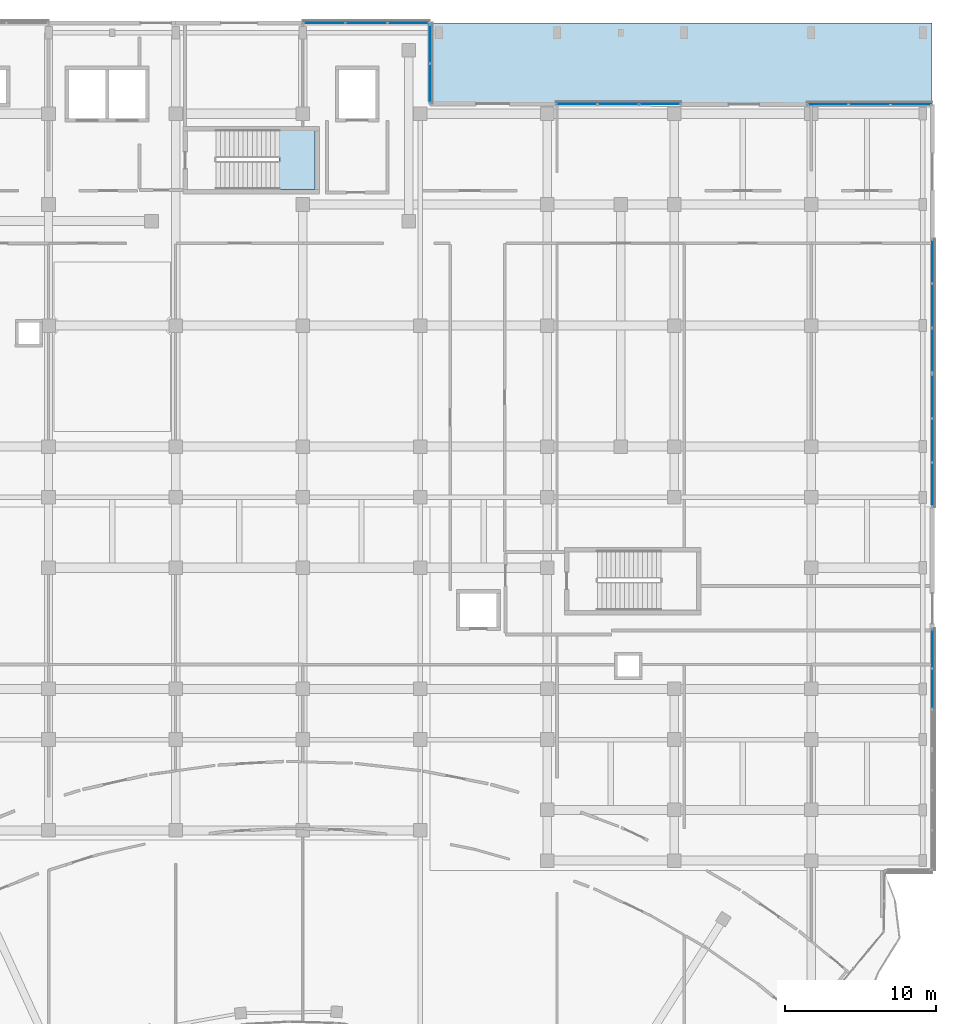
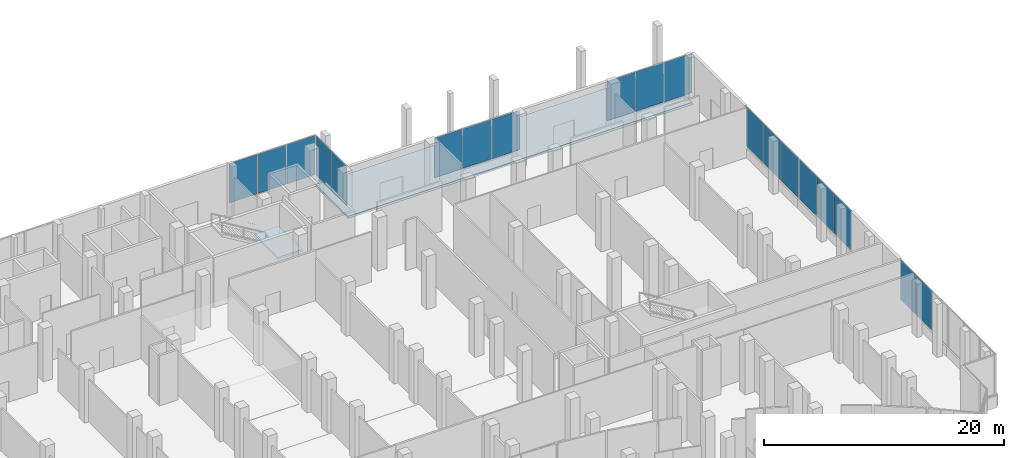
# One storey, part 131 of 158: 19 plates, 2 slabs, 8 elements without a shape of their own.
"""IFC4 building model written with IfcOpenShell, lengths in metres."""

import ifcopenshell
import ifcopenshell.guid

model = None  # the IFC model being written
_history = None  # IfcOwnerHistory: only IFC2X3 demands one
_inside = {}  # id of a spatial element -> (the spatial element, [elements in it])
_under = {}  # id of a project, library or spatial element -> (it, [spatial elements below it])
_declared = {}  # id of a project -> (the project, [libraries it declares])
_typed = {}  # id of a type object -> (the type object, [elements of that type])
_made_of = {}  # id of a material, layer set ... -> (it, [elements and type objects made of it])


def new_model(schema):
    """Start an empty IFC model of exactly this schema.

    Asked for "IFC4X3", IfcOpenShell would pick the latest addendum, in which some entities
    have other attributes; the version numbers below select the first issue.
    IFC2X3 requires an IfcOwnerHistory on every rooted entity: one is made here for all.
    """
    global model, _history
    if schema == "IFC4X3":
        model = ifcopenshell.file(schema_version=(4, 3, 0, 0))
    else:
        model = ifcopenshell.file(schema=schema)
    _inside.clear()
    _under.clear()
    _declared.clear()
    _typed.clear()
    _made_of.clear()
    _history = None
    if model.schema == "IFC2X3":
        org = make("IfcOrganization", Name="unknown")
        user = make(
            "IfcPersonAndOrganization",
            ThePerson=make("IfcPerson", FamilyName="unknown"),
            TheOrganization=org,
        )
        app = make(
            "IfcApplication",
            ApplicationDeveloper=org,
            Version="unknown",
            ApplicationFullName="unknown",
            ApplicationIdentifier="unknown",
        )
        _history = make(
            "IfcOwnerHistory",
            OwningUser=user,
            OwningApplication=app,
            ChangeAction="ADDED",
            CreationDate=0,
        )
    return model


def make(cls, **values):
    """One entity of the class cls with the attributes given. An attribute that is None is left unset."""
    return model.create_entity(
        cls, **{name: value for name, value in values.items() if value is not None}
    )


def rooted(cls, **values):
    """An entity with a GlobalId (a new one), such as an element, a storey or a relation."""
    return make(cls, GlobalId=ifcopenshell.guid.new(), OwnerHistory=_history, **values)


def si_unit(unit_type, name, prefix=None):
    """IfcSIUnit, for example si_unit("LENGTHUNIT", "METRE", prefix="MILLI")."""
    return make("IfcSIUnit", UnitType=unit_type, Prefix=prefix, Name=name)


def assignment(units):
    """IfcUnitAssignment: the units of a project."""
    return None if units is None else make("IfcUnitAssignment", Units=units)


def point(xyz):
    """IfcCartesianPoint."""
    return None if xyz is None else make("IfcCartesianPoint", Coordinates=xyz)


def direction(xyz):
    """IfcDirection."""
    return None if xyz is None else make("IfcDirection", DirectionRatios=xyz)


def frame(location, z_axis=None, x_axis=None):
    """IfcAxis2Placement3D, a coordinate frame: its origin and axes. An axis left out is left unset."""
    return make(
        "IfcAxis2Placement3D",
        Location=point(location),
        Axis=direction(z_axis),
        RefDirection=direction(x_axis),
    )


def frame_2d(location, x_axis=None):
    """IfcAxis2Placement2D, a coordinate frame in the plane: its origin and x axis."""
    return make(
        "IfcAxis2Placement2D", Location=point(location), RefDirection=direction(x_axis)
    )


def origin():
    """The frame at (0, 0, 0) with its axes left unset."""
    return frame((0.0, 0.0, 0.0))


def origin_2d():
    """The frame at (0, 0) in the plane with its x axis left unset."""
    return frame_2d((0.0, 0.0))


def place(relative_to, where):
    """IfcLocalPlacement: puts the frame where relative to a parent placement (None: the world)."""
    return make(
        "IfcLocalPlacement", PlacementRelTo=relative_to, RelativePlacement=where
    )


def context(
    kind, dimensions, precision=None, world=None, true_north=None, identifier=None
):
    """IfcGeometricRepresentationContext, for example the 3D "Model" context."""
    return make(
        "IfcGeometricRepresentationContext",
        ContextIdentifier=identifier,
        ContextType=kind,
        CoordinateSpaceDimension=dimensions,
        Precision=precision,
        WorldCoordinateSystem=world,
        TrueNorth=true_north,
    )


def subcontext(parent, identifier, kind, view, scale=None):
    """IfcGeometricRepresentationSubContext, for example "Body" below "Model"."""
    return make(
        "IfcGeometricRepresentationSubContext",
        ContextIdentifier=identifier,
        ContextType=kind,
        ParentContext=parent,
        TargetScale=scale,
        TargetView=view,
    )


def project(units=None, contexts=None):
    """IfcProject with its units and contexts."""
    return rooted(
        "IfcProject",
        Name="project",
        RepresentationContexts=contexts,
        UnitsInContext=assignment(units),
    )


def spatial(cls, under=None, at=None, **own):
    """A site, building, storey or space (cls), placed at a placement, below another one or the project."""
    s = rooted(cls, ObjectPlacement=at, **own)
    if under is not None:
        _under.setdefault(under.id(), (under, []))[1].append(s)
    return s


def polyline(points):
    """IfcPolyline through the points."""
    return make("IfcPolyline", Points=[point(p) for p in points])


def profile(cls, at=None, kind="AREA", **sizes):
    """A parametric profile (cls). Its sizes go by their IFC names, for example OverallWidth=200.0."""
    return make(cls, ProfileType=kind, Position=at, **sizes)


def rectangle(**sizes):
    """IfcRectangleProfileDef."""
    return profile("IfcRectangleProfileDef", **sizes)


def outline(outer, holes=None, kind="AREA"):
    """IfcArbitraryClosedProfileDef: a profile drawn as a closed curve; with holes, ...WithVoids."""
    if holes is None:
        return make("IfcArbitraryClosedProfileDef", ProfileType=kind, OuterCurve=outer)
    return make(
        "IfcArbitraryProfileDefWithVoids",
        ProfileType=kind,
        OuterCurve=outer,
        InnerCurves=holes,
    )


def extrude(swept, where, along, depth):
    """IfcExtrudedAreaSolid: the profile swept, set in the frame where, extruded along a direction by depth."""
    return make(
        "IfcExtrudedAreaSolid",
        SweptArea=swept,
        Position=where,
        ExtrudedDirection=direction(along),
        Depth=depth,
    )


def shape(context_of_items, identifier, shape_type, items):
    """IfcShapeRepresentation: the items that make up one representation, for example the "Body"."""
    return make(
        "IfcShapeRepresentation",
        ContextOfItems=context_of_items,
        RepresentationIdentifier=identifier,
        RepresentationType=shape_type,
        Items=items,
    )


def material(Name=None, Category=None):
    """IfcMaterial."""
    return make("IfcMaterial", Name=Name, Category=Category)


def layer(
    of_material, thickness, ventilated=None, Name=None, Category=None, Priority=None
):
    """IfcMaterialLayer: one layer of a wall or slab, of a material (None: an air gap)."""
    return make(
        "IfcMaterialLayer",
        Material=of_material,
        LayerThickness=thickness,
        IsVentilated=ventilated,
        Name=Name,
        Category=Category,
        Priority=Priority,
    )


def layer_set(layers, Name=None):
    """IfcMaterialLayerSet."""
    return make("IfcMaterialLayerSet", MaterialLayers=layers, LayerSetName=Name)


def made_of(thing, what):
    """Note that an element or type object is made of a material, layer set ...; save() writes the relation."""
    if what is not None:
        _made_of.setdefault(what.id(), (what, []))[1].append(thing)
    return thing


def type_object(cls, material=None, **own):
    """A type object (cls), such as IfcWallType, which elements share."""
    return made_of(rooted(cls, **own), material)


def element(
    cls,
    number,
    at=None,
    inside=None,
    cuts=None,
    type_object=None,
    material=None,
    context=None,
    identifier="Body",
    shape_type=None,
    held_by="IfcProductDefinitionShape",
    body=None,
    shapes=None,
    **own,
):
    """One element of the class cls, such as IfcWall. Its Tag is "e" and its number.

    at: its placement. inside: the storey or other place that contains it. cuts: it is an
    opening in that element (IfcRelVoidsElement). A single representation is given by context,
    identifier, shape_type and body (its items); several are given by shapes. held_by: the class
    of the entity that holds the representations. save() writes the other relations.
    """
    e = rooted(cls, Tag="e%d" % number, ObjectPlacement=at, **own)
    if body is not None:
        shapes = [shape(context, identifier, shape_type, body)]
    if shapes is not None:
        e.Representation = make(held_by, Representations=shapes)
    if inside is not None:
        _inside.setdefault(inside.id(), (inside, []))[1].append(e)
    if cuts is not None:
        rooted(
            "IfcRelVoidsElement", RelatingBuildingElement=cuts, RelatedOpeningElement=e
        )
    if type_object is not None:
        _typed.setdefault(type_object.id(), (type_object, []))[1].append(e)
    return made_of(e, material)


def aggregate(whole, parts):
    """IfcRelAggregates: a whole, such as a stair, and the parts it consists of."""
    return rooted("IfcRelAggregates", RelatingObject=whole, RelatedObjects=parts)


def save(model, path):
    """Write the relations noted so far, then the file.

    IfcRelAggregates (storeys below a building ...), IfcRelContainedInSpatialStructure (elements
    in a storey), IfcRelDefinesByType, IfcRelAssociatesMaterial and IfcRelDeclares: one each for
    every whole, place, type object, material and project.
    """
    for whole, parts in _under.values():
        aggregate(whole, parts)
    for where, things in _inside.values():
        rooted(
            "IfcRelContainedInSpatialStructure",
            RelatedElements=things,
            RelatingStructure=where,
        )
    for kind, things in _typed.values():
        rooted("IfcRelDefinesByType", RelatedObjects=things, RelatingType=kind)
    for what, things in _made_of.values():
        rooted("IfcRelAssociatesMaterial", RelatedObjects=things, RelatingMaterial=what)
    for by, libraries in _declared.values():
        rooted("IfcRelDeclares", RelatingContext=by, RelatedDefinitions=libraries)
    model.write(path)


model = new_model("IFC4")

# Units and contexts
model_context = context("Model", 3, precision=1e-05, world=origin(), true_north=direction((0.0, 1.0)))
body_context = subcontext(model_context, "Body", "Model", "MODEL_VIEW")
ifc_project = project(units=[si_unit("LENGTHUNIT", "METRE"), si_unit("AREAUNIT", "SQUARE_METRE"), si_unit("VOLUMEUNIT", "CUBIC_METRE"), si_unit("PLANEANGLEUNIT", "RADIAN"), si_unit("MASSUNIT", "GRAM", prefix="KILO")], contexts=[model_context])

# Site, building, storey
site_placement = place(None, origin())
site = spatial("IfcSite", under=ifc_project, at=site_placement, CompositionType="ELEMENT")
building_placement = place(site_placement, origin())
building = spatial("IfcBuilding", under=site, at=building_placement, Name="Selatvlak General Hospital", CompositionType="ELEMENT")
storey_placement = place(building_placement, origin())
storey = spatial("IfcBuildingStorey", under=building, at=storey_placement, Name="L00", CompositionType="ELEMENT", Elevation=0.0)

# Curtain wall, plates
ifc_material_1 = material(Name="Solar-control Low-E double glazing", Category="glass")
curtain_wall_type_1 = type_object("IfcCurtainWallType", Name="CW-CW-01", PredefinedType="USERDEFINED", material=ifc_material_1)
curtain_wall_1_placement = place(storey_placement, origin())
curtain_wall_1 = element("IfcCurtainWall", 1, at=curtain_wall_1_placement, inside=storey, type_object=curtain_wall_type_1, Name="Glazed facade curtain wall CW-L00-0010", ObjectType="UNITISED CURTAIN WALL", PredefinedType="USERDEFINED")
ifc_layer_1 = layer(ifc_material_1, 0.028076171875, Name="Solar-control Low-E double glazing", Category="glass")
ifc_layer_set_1 = layer_set([ifc_layer_1], Name="Solar-control Low-E double glazing")
plate_type = type_object("IfcPlateType", Name="CWP-01", PredefinedType="CURTAIN_PANEL", material=ifc_layer_set_1)
plate_1_placement = place(storey_placement, frame((141.8251953125, 120.0, 1.0048828125), z_axis=(0.0, 0.0, 1.0), x_axis=(1.0, 0.0, 0.0)))
plate_1 = element("IfcPlate", 2, at=plate_1_placement, type_object=plate_type, Name="CW-01 panel 1.1", PredefinedType="CURTAIN_PANEL", context=body_context, shape_type="SweptSolid", body=[
    extrude(rectangle(XDim=2.6923828125, YDim=0.028076171875, at=origin_2d()), origin(), (0.0, 0.0, 1.0), 4.010009765625),
])
plate_2_placement = place(storey_placement, frame((144.59912109375, 120.0, 1.0048828125), z_axis=(0.0, 0.0, 1.0), x_axis=(1.0, 0.0, 0.0)))
plate_2 = element("IfcPlate", 3, at=plate_2_placement, type_object=plate_type, Name="CW-01 panel 2.1", PredefinedType="CURTAIN_PANEL", context=body_context, shape_type="SweptSolid", body=[
    extrude(rectangle(XDim=2.72509765625, YDim=0.028076171875, at=origin_2d()), origin(), (0.0, 0.0, 1.0), 4.010009765625),
])
plate_3_placement = place(storey_placement, frame((147.372802734375, 120.0, 1.0048828125), z_axis=(0.0, 0.0, 1.0), x_axis=(1.0, 0.0, 0.0)))
plate_3 = element("IfcPlate", 4, at=plate_3_placement, type_object=plate_type, Name="CW-01 panel 3.1", PredefinedType="CURTAIN_PANEL", context=body_context, shape_type="SweptSolid", body=[
    extrude(rectangle(XDim=2.6923828125, YDim=0.028076171875, at=origin_2d()), origin(), (0.0, 0.0, 1.0), 4.010009765625),
])
aggregate(curtain_wall_1, [plate_1, plate_2, plate_3])

curtain_wall_type_2 = type_object("IfcCurtainWallType", Name="CW-CW-02", PredefinedType="USERDEFINED", material=ifc_material_1)
curtain_wall_2_placement = place(storey_placement, origin())
curtain_wall_2 = element("IfcCurtainWall", 5, at=curtain_wall_2_placement, inside=storey, type_object=curtain_wall_type_2, Name="Glazed facade curtain wall CW-L00-0011", ObjectType="UNITISED CURTAIN WALL", PredefinedType="USERDEFINED")
plate_4_placement = place(storey_placement, frame((148.79931640625, 118.603759765625, 1.0048828125), z_axis=(0.0, 0.0, 1.0), x_axis=(0.000190114072, -0.999999981928, 0.0)))
plate_4 = element("IfcPlate", 6, at=plate_4_placement, type_object=plate_type, Name="CW-02 panel 1.1", PredefinedType="CURTAIN_PANEL", context=body_context, shape_type="SweptSolid", body=[
    extrude(rectangle(XDim=2.532470703125, YDim=0.028076171875, at=origin_2d()), origin(), (0.0, 0.0, 1.0), 4.010009765625),
])
plate_5_placement = place(storey_placement, frame((148.7998046875, 116.00634765625, 1.0048828125), z_axis=(0.0, 0.0, 1.0), x_axis=(0.000190114072, -0.999999981928, 0.0)))
plate_5 = element("IfcPlate", 7, at=plate_5_placement, type_object=plate_type, Name="CW-02 panel 2.1", PredefinedType="CURTAIN_PANEL", context=body_context, shape_type="SweptSolid", body=[
    extrude(rectangle(XDim=2.532470703125, YDim=0.028076171875, at=origin_2d()), origin(), (0.0, 0.0, 1.0), 4.010009765625),
])
aggregate(curtain_wall_2, [plate_4, plate_5])

curtain_wall_3_placement = place(storey_placement, origin())
curtain_wall_3 = element("IfcCurtainWall", 8, at=curtain_wall_3_placement, inside=storey, type_object=curtain_wall_type_1, Name="Glazed facade curtain wall CW-L00-0012", ObjectType="UNITISED CURTAIN WALL", PredefinedType="USERDEFINED")
plate_6_placement = place(storey_placement, frame((158.509521484375, 114.642578125, 1.0048828125), z_axis=(0.0, 0.0, 1.0), x_axis=(0.999998354699, -0.001814001134, 0.0)))
plate_6 = element("IfcPlate", 9, at=plate_6_placement, type_object=plate_type, Name="CW-01 panel 1.1", PredefinedType="CURTAIN_PANEL", context=body_context, shape_type="SweptSolid", body=[
    extrude(rectangle(XDim=2.658935546875, YDim=0.028076171875, at=origin_2d()), origin(), (0.0, 0.0, 1.0), 4.010009765625),
])
plate_7_placement = place(storey_placement, frame((161.24951171875, 114.637451171875, 1.0048828125), z_axis=(0.0, 0.0, 1.0), x_axis=(0.999998354699, -0.001814001134, 0.0)))
plate_7 = element("IfcPlate", 10, at=plate_7_placement, type_object=plate_type, Name="CW-01 panel 2.1", PredefinedType="CURTAIN_PANEL", context=body_context, shape_type="SweptSolid", body=[
    extrude(rectangle(XDim=2.69140625, YDim=0.028076171875, at=origin_2d()), origin(), (0.0, 0.0, 1.0), 4.010009765625),
])
plate_8_placement = place(storey_placement, frame((163.989501953125, 114.632568359375, 1.0048828125), z_axis=(0.0, 0.0, 1.0), x_axis=(0.999998354699, -0.001814001134, 0.0)))
plate_8 = element("IfcPlate", 11, at=plate_8_placement, type_object=plate_type, Name="CW-01 panel 3.1", PredefinedType="CURTAIN_PANEL", context=body_context, shape_type="SweptSolid", body=[
    extrude(rectangle(XDim=2.658935546875, YDim=0.028076171875, at=origin_2d()), origin(), (0.0, 0.0, 1.0), 4.010009765625),
])
aggregate(curtain_wall_3, [plate_6, plate_7, plate_8])

curtain_wall_4_placement = place(storey_placement, origin())
curtain_wall_4 = element("IfcCurtainWall", 12, at=curtain_wall_4_placement, inside=storey, type_object=curtain_wall_type_1, Name="Glazed facade curtain wall CW-L00-0013", ObjectType="UNITISED CURTAIN WALL", PredefinedType="USERDEFINED")
plate_9_placement = place(storey_placement, frame((175.108642578125, 114.612548828125, 1.0048828125), z_axis=(0.0, 0.0, 1.0), x_axis=(0.999998355096, -0.001813781781, 0.0)))
plate_9 = element("IfcPlate", 13, at=plate_9_placement, type_object=plate_type, Name="CW-01 panel 1.1", PredefinedType="CURTAIN_PANEL", context=body_context, shape_type="SweptSolid", body=[
    extrude(rectangle(XDim=2.6591796875, YDim=0.028076171875, at=origin_2d()), origin(), (0.0, 0.0, 1.0), 4.010009765625),
])
plate_10_placement = place(storey_placement, frame((177.84912109375, 114.607421875, 1.0048828125), z_axis=(0.0, 0.0, 1.0), x_axis=(0.999998355096, -0.001813781781, 0.0)))
plate_10 = element("IfcPlate", 14, at=plate_10_placement, type_object=plate_type, Name="CW-01 panel 2.1", PredefinedType="CURTAIN_PANEL", context=body_context, shape_type="SweptSolid", body=[
    extrude(rectangle(XDim=2.691650390625, YDim=0.028076171875, at=origin_2d()), origin(), (0.0, 0.0, 1.0), 4.010009765625),
])
plate_11_placement = place(storey_placement, frame((180.58935546875, 114.6025390625, 1.0048828125), z_axis=(0.0, 0.0, 1.0), x_axis=(0.999998355096, -0.001813781781, 0.0)))
plate_11 = element("IfcPlate", 15, at=plate_11_placement, type_object=plate_type, Name="CW-01 panel 3.1", PredefinedType="CURTAIN_PANEL", context=body_context, shape_type="SweptSolid", body=[
    extrude(rectangle(XDim=2.6591796875, YDim=0.028076171875, at=origin_2d()), origin(), (0.0, 0.0, 1.0), 4.010009765625),
])
aggregate(curtain_wall_4, [plate_9, plate_10, plate_11])

curtain_wall_5_placement = place(storey_placement, origin())
curtain_wall_5 = element("IfcCurtainWall", 16, at=curtain_wall_5_placement, inside=storey, type_object=curtain_wall_type_1, Name="Glazed facade curtain wall CW-L00-0014", ObjectType="UNITISED CURTAIN WALL", PredefinedType="USERDEFINED")
plate_12_placement = place(storey_placement, frame((181.999267578125, 104.22998046875, 1.0048828125), z_axis=(0.0, 0.0, 1.0), x_axis=(0.000113160569, -0.999999993597, 0.0)))
plate_12 = element("IfcPlate", 17, at=plate_12_placement, type_object=plate_type, Name="CW-01 panel 1.1", PredefinedType="CURTAIN_PANEL", context=body_context, shape_type="SweptSolid", body=[
    extrude(rectangle(XDim=2.84814453125, YDim=0.028076171875, at=origin_2d()), origin(), (0.0, 0.0, 1.0), 4.010009765625),
])
plate_13_placement = place(storey_placement, frame((181.99951171875, 101.300537109375, 1.0048828125), z_axis=(0.0, 0.0, 1.0), x_axis=(0.000113160569, -0.999999993597, 0.0)))
plate_13 = element("IfcPlate", 18, at=plate_13_placement, type_object=plate_type, Name="CW-01 panel 2.1", PredefinedType="CURTAIN_PANEL", context=body_context, shape_type="SweptSolid", body=[
    extrude(rectangle(XDim=2.880615234375, YDim=0.028076171875, at=origin_2d()), origin(), (0.0, 0.0, 1.0), 4.010009765625),
])
plate_14_placement = place(storey_placement, frame((181.999755859375, 98.37109375, 1.0048828125), z_axis=(0.0, 0.0, 1.0), x_axis=(0.000113160569, -0.999999993597, 0.0)))
plate_14 = element("IfcPlate", 19, at=plate_14_placement, type_object=plate_type, Name="CW-01 panel 3.1", PredefinedType="CURTAIN_PANEL", context=body_context, shape_type="SweptSolid", body=[
    extrude(rectangle(XDim=2.84814453125, YDim=0.028076171875, at=origin_2d()), origin(), (0.0, 0.0, 1.0), 4.010009765625),
])
aggregate(curtain_wall_5, [plate_12, plate_13, plate_14])

curtain_wall_6_placement = place(storey_placement, origin())
curtain_wall_6 = element("IfcCurtainWall", 20, at=curtain_wall_6_placement, inside=storey, type_object=curtain_wall_type_2, Name="Glazed facade curtain wall CW-L00-0015", ObjectType="UNITISED CURTAIN WALL", PredefinedType="USERDEFINED")
plate_15_placement = place(storey_placement, frame((182.0, 95.321533203125, 1.0048828125), z_axis=(0.0, 0.0, 1.0), x_axis=(0.0, -1.0, 0.0)))
plate_15 = element("IfcPlate", 21, at=plate_15_placement, type_object=plate_type, Name="CW-02 panel 1.1", PredefinedType="CURTAIN_PANEL", context=body_context, shape_type="SweptSolid", body=[
    extrude(rectangle(XDim=2.8310546875, YDim=0.028076171875, at=origin_2d()), origin(), (0.0, 0.0, 1.0), 4.010009765625),
])
plate_16_placement = place(storey_placement, frame((182.0, 92.408935546875, 1.0048828125), z_axis=(0.0, 0.0, 1.0), x_axis=(0.0, -1.0, 0.0)))
plate_16 = element("IfcPlate", 22, at=plate_16_placement, type_object=plate_type, Name="CW-02 panel 2.1", PredefinedType="CURTAIN_PANEL", context=body_context, shape_type="SweptSolid", body=[
    extrude(rectangle(XDim=2.86376953125, YDim=0.028076171875, at=origin_2d()), origin(), (0.0, 0.0, 1.0), 4.010009765625),
])
plate_17_placement = place(storey_placement, frame((182.0, 89.49658203125, 1.0048828125), z_axis=(0.0, 0.0, 1.0), x_axis=(0.0, -1.0, 0.0)))
plate_17 = element("IfcPlate", 23, at=plate_17_placement, type_object=plate_type, Name="CW-02 panel 3.1", PredefinedType="CURTAIN_PANEL", context=body_context, shape_type="SweptSolid", body=[
    extrude(rectangle(XDim=2.8310546875, YDim=0.028076171875, at=origin_2d()), origin(), (0.0, 0.0, 1.0), 4.010009765625),
])
aggregate(curtain_wall_6, [plate_15, plate_16, plate_17])

curtain_wall_7_placement = place(storey_placement, origin())
curtain_wall_7 = element("IfcCurtainWall", 24, at=curtain_wall_7_placement, inside=storey, type_object=curtain_wall_type_1, Name="Glazed facade curtain wall CW-L00-0016", ObjectType="UNITISED CURTAIN WALL", PredefinedType="USERDEFINED")
plate_18_placement = place(storey_placement, frame((182.0, 78.641357421875, 1.0048828125), z_axis=(0.0, 0.0, 1.0), x_axis=(0.0, -1.0, 0.0)))
plate_18 = element("IfcPlate", 25, at=plate_18_placement, type_object=plate_type, Name="CW-01 panel 1.1", PredefinedType="CURTAIN_PANEL", context=body_context, shape_type="SweptSolid", body=[
    extrude(rectangle(XDim=2.55908203125, YDim=0.028076171875, at=origin_2d()), origin(), (0.0, 0.0, 1.0), 4.010009765625),
])
plate_19_placement = place(storey_placement, frame((182.0, 76.0009765625, 1.0048828125), z_axis=(0.0, 0.0, 1.0), x_axis=(0.0, -1.0, 0.0)))
plate_19 = element("IfcPlate", 26, at=plate_19_placement, type_object=plate_type, Name="CW-01 panel 2.1", PredefinedType="CURTAIN_PANEL", context=body_context, shape_type="SweptSolid", body=[
    extrude(rectangle(XDim=2.591552734375, YDim=0.028076171875, at=origin_2d()), origin(), (0.0, 0.0, 1.0), 4.010009765625),
])
aggregate(curtain_wall_7, [plate_18, plate_19])

# Stair, slab
ifc_material_2 = material(Name="Precast concrete C40/50", Category="concrete")
stair_type = type_object("IfcStairType", Name="STAIR-ST-04", PredefinedType="HALF_TURN_STAIR", material=ifc_material_2)
stair_placement = place(storey_placement, origin())
stair = element("IfcStair", 27, at=stair_placement, inside=storey, type_object=stair_type, Name="L00 Protected exit stair ST-04", PredefinedType="HALF_TURN_STAIR")
ifc_material_3 = material(Name="Concrete C40/50", Category="concrete")
ifc_layer_2 = layer(ifc_material_3, 0.199951171875, Name="Concrete C40/50", Category="concrete")
ifc_layer_set_2 = layer_set([ifc_layer_2], Name="Concrete C40/50")
slab_type_1 = type_object("IfcSlabType", Name="SLAB-LND1", PredefinedType="LANDING", material=ifc_layer_set_2)
slab_1_placement = place(storey_placement, frame((0.0, 0.0, 2.5)))
slab_1 = element("IfcSlab", 28, at=slab_1_placement, type_object=slab_type_1, Name="ST-04 landing 1", PredefinedType="LANDING", context=body_context, shape_type="SweptSolid", body=[
    extrude(outline(polyline([(138.81494140625, 109.0), (141.199951171875, 109.0), (141.199951171875, 112.93994140625), (138.81494140625, 112.93994140625), (138.81494140625, 109.0)])), origin(), (0.0, 0.0, 1.0), 0.199951171875),
])
aggregate(stair, [slab_1])

# Slab
ifc_material_4 = material(Name="Concrete C35/45", Category="concrete")
ifc_layer_3 = layer(ifc_material_4, 0.2451171875, Name="Concrete C35/45", Category="concrete")
ifc_layer_set_3 = layer_set([ifc_layer_3], Name="Concrete C35/45")
slab_type_2 = type_object("IfcSlabType", Name="SLAB-SL-AP1", PredefinedType="BASESLAB", material=ifc_layer_set_3)
slab_2_placement = place(storey_placement, frame((0.0, 0.0, -0.2451171875)))
element("IfcSlab", 29, at=slab_2_placement, inside=storey, type_object=slab_type_2, Name="Ground colonnade and entrance deck SL-APRON-NORTH", PredefinedType="BASESLAB", context=body_context, shape_type="SweptSolid", body=[
    extrude(outline(polyline([(148.80810546875, 114.60791015625), (148.80810546875, 119.97998046875), (181.97998046875, 119.97998046875), (181.97998046875, 114.60791015625), (148.80810546875, 114.60791015625)])), origin(), (0.0, 0.0, 1.0), 0.2451171875),
])

save(model, "model.ifc")
